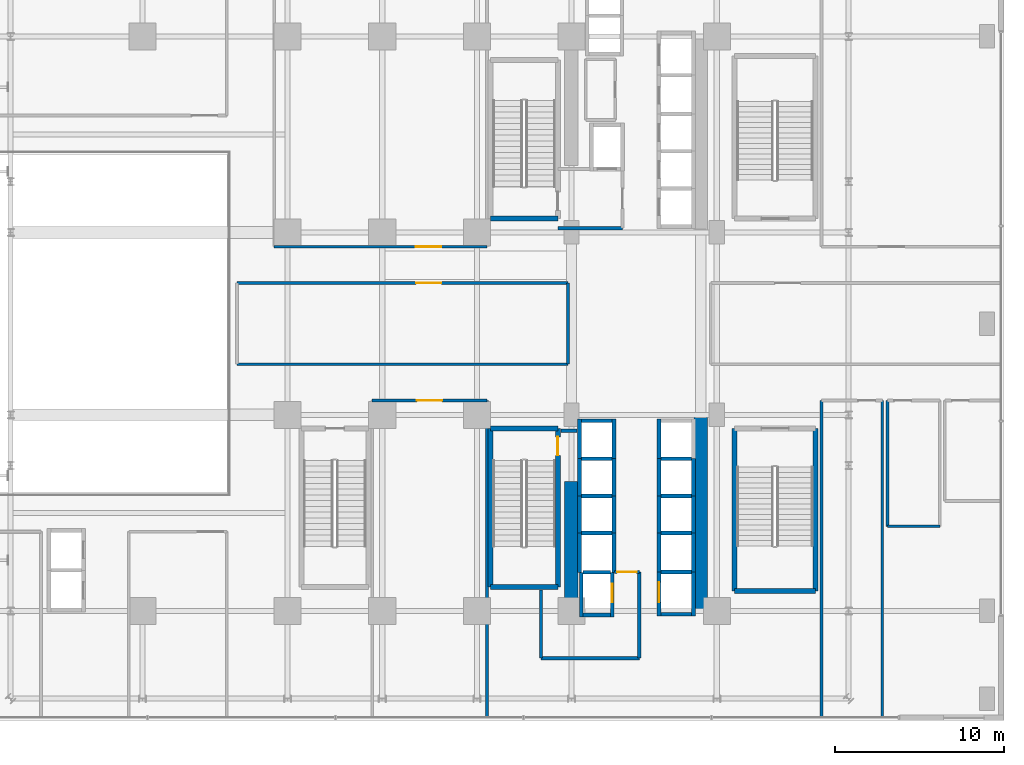
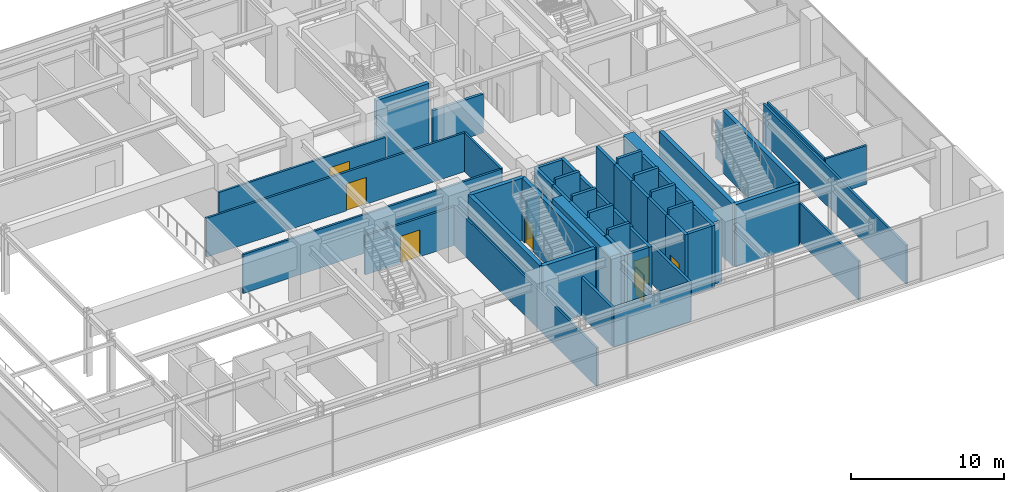
# One storey, part 28 of 35: 56 walls, 7 doors, 7 openings.
"""IFC4 building model written with IfcOpenShell, lengths in metres."""

from ifc_helpers import new_model, si_unit, direction, frame, frame_2d, origin, place, context, subcontext, project, spatial, rectangle, extrude, source, transform, mapped, material, layer, layer_set, type_object, element, fill, save


model = new_model("IFC4")

# Units and contexts
model_context = context("Model", 3, precision=1e-05, world=origin(), true_north=direction((0.0, 1.0)))
body_context = subcontext(model_context, "Body", "Model", "MODEL_VIEW")
ifc_project = project(units=[si_unit("LENGTHUNIT", "METRE"), si_unit("AREAUNIT", "SQUARE_METRE"), si_unit("VOLUMEUNIT", "CUBIC_METRE"), si_unit("PLANEANGLEUNIT", "RADIAN"), si_unit("MASSUNIT", "GRAM", prefix="KILO")], contexts=[model_context])

# Site, building, storey
site_placement = place(None, origin())
site = spatial("IfcSite", under=ifc_project, at=site_placement, CompositionType="ELEMENT")
building_placement = place(site_placement, origin())
building = spatial("IfcBuilding", under=site, at=building_placement, Name="Nahalor Promenade Grand Hotel", CompositionType="ELEMENT")
storey_placement = place(building_placement, frame((0.0, 0.0, 21.60009765625)))
storey = spatial("IfcBuildingStorey", under=building, at=storey_placement, Name="L04", CompositionType="ELEMENT", Elevation=21.60009765625)

# Walls
ifc_material_1 = material(Name="Concrete B-70 (C60/75)", Category="concrete")
ifc_layer_1 = layer(ifc_material_1, 0.800048828125)
ifc_layer_set_1 = layer_set([ifc_layer_1], Name="Concrete B-70 (C60/75)")
wall_type_1 = type_object("IfcWallType", Name="Wall-CoreShear-800", PredefinedType="SHEAR", material=ifc_layer_set_1)
shared_shape_1 = source(origin(), body_context, "Body", "SweptSolid", [
    extrude(rectangle(XDim=7.64990234375, YDim=0.800048828125, at=frame_2d((3.824951171875, 0.0))), origin(), (0.0, 0.0, 1.0), 4.97998046875),
])
wall_1_placement = place(storey_placement, frame((8.39990234375, -17.0, 0.0), z_axis=(0.0, 0.0, 1.0), x_axis=(0.0, 1.0, 0.0)))
element("IfcWall", 1, at=wall_1_placement, inside=storey, type_object=wall_type_1, Name="CWALL-L04-SW", PredefinedType="SHEAR", context=body_context, shape_type="MappedRepresentation", body=[
    mapped(shared_shape_1, transform((0.0, 0.0, 0.0), scale=1.0)),
])
shared_shape_2 = source(origin(), body_context, "Body", "SweptSolid", [
    extrude(rectangle(XDim=11.60009765625, YDim=0.800048828125, at=frame_2d((5.800048828125, 0.0))), origin(), (0.0, 0.0, 1.0), 4.97998046875),
])
wall_2_placement = place(storey_placement, frame((16.050048828125, -17.0, 0.0), z_axis=(0.0, 0.0, 1.0), x_axis=(0.0, 1.0, 0.0)))
element("IfcWall", 2, at=wall_2_placement, inside=storey, type_object=wall_type_1, Name="CWALL-L04-SE", PredefinedType="SHEAR", context=body_context, shape_type="MappedRepresentation", body=[
    mapped(shared_shape_2, transform((0.0, 0.0, 0.0), scale=1.0)),
])
ifc_material_2 = material(Name="Concrete B-50 (C40/50)", Category="concrete")
ifc_layer_2 = layer(ifc_material_2, 0.300048828125)
ifc_layer_set_2 = layer_set([ifc_layer_2], Name="Concrete B-50 (C40/50)")
wall_type_2 = type_object("IfcWallType", Name="Wall-ShaftShear-300", PredefinedType="SHEAR", material=ifc_layer_set_2)
shared_shape_3 = source(origin(), body_context, "Body", "SweptSolid", [
    extrude(rectangle(XDim=3.97998046875, YDim=0.300048828125, at=frame_2d((1.989990234375, 0.0))), origin(), (0.0, 0.0, 1.0), 4.97998046875),
])
for number, where, z_axis, x_axis, name in (
    (3, (3.610107421875, 6.2099609375, 0.0), (0.0, 0.0, 1.0), (1.0, 0.0, 0.0), "L04 Exit Stair ST1 Shaft Wall S"),
    (4, (3.610107421875, -15.590087890625, 0.0), (0.0, 0.0, 1.0), (1.0, 0.0, 0.0), "L04 Exit Stair ST2 Shaft Wall S"),
    (5, (3.610107421875, -6.2099609375, 0.0), (0.0, 0.0, 1.0), (1.0, 0.0, 0.0), "L04 Exit Stair ST2 Shaft Wall N"),
):
    element("IfcWall", number, at=place(storey_placement, frame(where, z_axis=z_axis, x_axis=x_axis)), inside=storey, type_object=wall_type_2, Name=name, PredefinedType="SHEAR", context=body_context, shape_type="MappedRepresentation", body=[
        mapped(shared_shape_3, transform((0.0, 0.0, 0.0), scale=1.0)),
    ])
shared_shape_4 = source(origin(), body_context, "Body", "SweptSolid", [
    extrude(rectangle(XDim=9.380126953125, YDim=0.300048828125, at=frame_2d((4.68994140625, 0.0))), origin(), (0.0, 0.0, 1.0), 4.97998046875),
])
wall_3_placement = place(storey_placement, frame((3.610107421875, -15.590087890625, 0.0), z_axis=(0.0, 0.0, 1.0), x_axis=(0.0, 1.0, 0.0)))
element("IfcWall", 6, at=wall_3_placement, inside=storey, type_object=wall_type_2, Name="L04 Exit Stair ST2 Shaft Wall W", PredefinedType="SHEAR", context=body_context, shape_type="MappedRepresentation", body=[
    mapped(shared_shape_4, transform((0.0, 0.0, 0.0), scale=1.0)),
])

# Wall, opening, door
wall_4_placement = place(storey_placement, frame((7.590087890625, -15.590087890625, 0.0), z_axis=(0.0, 0.0, 1.0), x_axis=(0.0, 1.0, 0.0)))
wall_4 = element("IfcWall", 7, at=wall_4_placement, inside=storey, type_object=wall_type_2, Name="L04 Exit Stair ST2 Shaft Wall E", PredefinedType="SHEAR", context=body_context, shape_type="MappedRepresentation", body=[
    mapped(shared_shape_4, transform((0.0, 0.0, 0.0), scale=1.0)),
])
opening_1_placement = place(wall_4_placement, frame((7.7900390625, 0.0, 0.0)))
opening_1 = element("IfcOpeningElement", 8, at=opening_1_placement, cuts=wall_4, Name="Opening D-ST1", PredefinedType="OPENING", context=body_context, shape_type="SweptSolid", body=[
    extrude(rectangle(XDim=1.10009765625, YDim=2.14990234375, at=frame_2d((0.550048828125, 1.074951171875))), frame((0.0, 0.159912109375, 0.0), z_axis=(0.0, -1.0, 0.0), x_axis=(1.0, 0.0, 0.0)), (0.0, 0.0, 1.0), 0.320068359375),
])
ifc_material_3 = material(Name="Steel S355JR", Category="steel")
door_type_1 = type_object("IfcDoorType", Name="Door-StairFire-1100", OperationType="NOTDEFINED", PredefinedType="DOOR", material=ifc_material_3)
shared_shape_5 = source(origin(), body_context, "Body", "SweptSolid", [
    extrude(rectangle(XDim=1.10009765625, YDim=2.14990234375, at=frame_2d((0.550048828125, 1.074951171875))), frame((0.0, 0.02490234375, 0.0), z_axis=(0.0, -1.0, 0.0), x_axis=(1.0, 0.0, 0.0)), (0.0, 0.0, 1.0), 0.050048828125),
])
door_1_placement = place(opening_1_placement, origin())
door_1 = element("IfcDoor", 9, at=door_1_placement, inside=storey, type_object=door_type_1, Name="DR-STAIR-ST2-L04", OperationType="SINGLE_SWING_LEFT", OverallHeight=2.14990234375, OverallWidth=1.10009765625, PredefinedType="DOOR", context=body_context, shape_type="MappedRepresentation", body=[
    mapped(shared_shape_5, transform((0.0, 0.0, 0.0), scale=1.0)),
])
fill(opening_1, door_1)

# Walls
shared_shape_6 = source(origin(), body_context, "Body", "SweptSolid", [
    extrude(rectangle(XDim=4.780029296875, YDim=0.300048828125, at=frame_2d((2.39013671875, 0.0))), origin(), (0.0, 0.0, 1.0), 4.97998046875),
])
wall_5_placement = place(storey_placement, frame((18.06005859375, -15.840087890625, 0.0), z_axis=(0.0, 0.0, 1.0), x_axis=(1.0, 0.0, 0.0)))
element("IfcWall", 10, at=wall_5_placement, inside=storey, type_object=wall_type_2, Name="L04 Exit Stair ST5 Shaft Wall S", PredefinedType="SHEAR", context=body_context, shape_type="MappedRepresentation", body=[
    mapped(shared_shape_6, transform((0.0, 0.0, 0.0), scale=1.0)),
])
shared_shape_7 = source(origin(), body_context, "Body", "SweptSolid", [
    extrude(rectangle(XDim=9.630126953125, YDim=0.300048828125, at=frame_2d((4.81494140625, 0.0))), origin(), (0.0, 0.0, 1.0), 4.97998046875),
])
for number, where, z_axis, x_axis, name in (
    (11, (18.06005859375, -15.840087890625, 0.0), (0.0, 0.0, 1.0), (0.0, 1.0, 0.0), "L04 Exit Stair ST5 Shaft Wall W"),
    (12, (22.840087890625, -15.840087890625, 0.0), (0.0, 0.0, 1.0), (0.0, 1.0, 0.0), "L04 Exit Stair ST5 Shaft Wall E"),
):
    element("IfcWall", number, at=place(storey_placement, frame(where, z_axis=z_axis, x_axis=x_axis)), inside=storey, type_object=wall_type_2, Name=name, PredefinedType="SHEAR", context=body_context, shape_type="MappedRepresentation", body=[
        mapped(shared_shape_7, transform((0.0, 0.0, 0.0), scale=1.0)),
    ])
ifc_layer_3 = layer(ifc_material_2, 0.219970703125)
ifc_layer_set_3 = layer_set([ifc_layer_3], Name="Concrete B-50 (C40/50)")
wall_type_3 = type_object("IfcWallType", Name="Wall-LiftShaft-220", PredefinedType="SHEAR", material=ifc_layer_set_3)
shared_shape_8 = source(origin(), body_context, "Body", "SweptSolid", [
    extrude(rectangle(XDim=1.820068359375, YDim=0.219970703125, at=frame_2d((0.91015625, 0.0))), origin(), (0.0, 0.0, 1.0), 5.39990234375),
])
for number, where, z_axis, x_axis, name in (
    (13, (13.68994140625, -8.0, 0.0), (0.0, 0.0, 1.0), (1.0, 0.0, 0.0), "L04 Lift PL6 Hoistway Wall N"),
    (14, (13.68994140625, -10.199951171875, 0.0), (0.0, 0.0, 1.0), (1.0, 0.0, 0.0), "L04 Lift PL7 Hoistway Wall N"),
    (15, (13.68994140625, -12.39990234375, 0.0), (0.0, 0.0, 1.0), (1.0, 0.0, 0.0), "L04 Lift PL8 Hoistway Wall N"),
    (16, (8.989990234375, -8.0, 0.0), (0.0, 0.0, 1.0), (1.0, 0.0, 0.0), "L04 Lift PL10 Hoistway Wall N"),
    (17, (8.989990234375, -10.199951171875, 0.0), (0.0, 0.0, 1.0), (1.0, 0.0, 0.0), "L04 Lift PL11 Hoistway Wall N"),
    (18, (8.989990234375, -12.39990234375, 0.0), (0.0, 0.0, 1.0), (1.0, 0.0, 0.0), "L04 Lift PL12 Hoistway Wall N"),
    (19, (13.68994140625, -14.699951171875, 0.0), (0.0, 0.0, 1.0), (1.0, 0.0, 0.0), "L04 Lift SV2 Hoistway Wall N"),
):
    element("IfcWall", number, at=place(storey_placement, frame(where, z_axis=z_axis, x_axis=x_axis)), inside=storey, type_object=wall_type_3, Name=name, PredefinedType="SHEAR", context=body_context, shape_type="MappedRepresentation", body=[
        mapped(shared_shape_8, transform((0.0, 0.0, 0.0), scale=1.0)),
    ])
shared_shape_9 = source(origin(), body_context, "Body", "SweptSolid", [
    extrude(rectangle(XDim=2.360107421875, YDim=0.219970703125, at=frame_2d((1.18017578125, 0.0))), origin(), (0.0, 0.0, 1.0), 4.97998046875),
])
for number, where, z_axis, x_axis, name in (
    (20, (13.580078125, -8.0, 0.0), (0.0, 0.0, 1.0), (0.0, 1.0, 0.0), "L04 Lift PL5 Hoistway Wall W"),
    (21, (8.8798828125, -8.0, 0.0), (0.0, 0.0, 1.0), (0.0, 1.0, 0.0), "L04 Lift PL9 Hoistway Wall W"),
    (22, (10.919921875, -8.0, 0.0), (0.0, 0.0, 1.0), (0.0, 1.0, 0.0), "L04 Lift PL9 Hoistway Wall E"),
):
    element("IfcWall", number, at=place(storey_placement, frame(where, z_axis=z_axis, x_axis=x_axis)), inside=storey, type_object=wall_type_3, Name=name, PredefinedType="SHEAR", context=body_context, shape_type="MappedRepresentation", body=[
        mapped(shared_shape_9, transform((0.0, 0.0, 0.0), scale=1.0)),
    ])
shared_shape_10 = source(origin(), body_context, "Body", "SweptSolid", [
    extrude(rectangle(XDim=1.820068359375, YDim=0.219970703125, at=frame_2d((0.91015625, 0.0))), origin(), (0.0, 0.0, 1.0), 4.97998046875),
])
for number, where, z_axis, x_axis, name in (
    (23, (8.989990234375, -5.75, 0.0), (0.0, 0.0, 1.0), (1.0, 0.0, 0.0), "L04 Lift PL9 Hoistway Wall N"),
    (24, (13.68994140625, -17.199951171875, 0.0), (0.0, 0.0, 1.0), (1.0, 0.0, 0.0), "L04 Lift SV2 Hoistway Wall S"),
):
    element("IfcWall", number, at=place(storey_placement, frame(where, z_axis=z_axis, x_axis=x_axis)), inside=storey, type_object=wall_type_3, Name=name, PredefinedType="SHEAR", context=body_context, shape_type="MappedRepresentation", body=[
        mapped(shared_shape_10, transform((0.0, 0.0, 0.0), scale=1.0)),
    ])
shared_shape_11 = source(origin(), body_context, "Body", "SweptSolid", [
    extrude(rectangle(XDim=2.199951171875, YDim=0.219970703125, at=frame_2d((1.10009765625, 0.0))), origin(), (0.0, 0.0, 1.0), 4.97998046875),
])
for number, where, z_axis, x_axis, name in (
    (25, (13.580078125, -10.199951171875, 0.0), (0.0, 0.0, 1.0), (0.0, 1.0, 0.0), "L04 Lift PL6 Hoistway Wall W"),
    (26, (15.6201171875, -10.199951171875, 0.0), (0.0, 0.0, 1.0), (0.0, 1.0, 0.0), "L04 Lift PL6 Hoistway Wall E"),
    (27, (13.580078125, -12.39990234375, 0.0), (0.0, 0.0, 1.0), (0.0, 1.0, 0.0), "L04 Lift PL7 Hoistway Wall W"),
    (28, (15.6201171875, -12.39990234375, 0.0), (0.0, 0.0, 1.0), (0.0, 1.0, 0.0), "L04 Lift PL7 Hoistway Wall E"),
    (29, (8.8798828125, -10.199951171875, 0.0), (0.0, 0.0, 1.0), (0.0, 1.0, 0.0), "L04 Lift PL10 Hoistway Wall W"),
    (30, (10.919921875, -10.199951171875, 0.0), (0.0, 0.0, 1.0), (0.0, 1.0, 0.0), "L04 Lift PL10 Hoistway Wall E"),
    (31, (8.8798828125, -12.39990234375, 0.0), (0.0, 0.0, 1.0), (0.0, 1.0, 0.0), "L04 Lift PL11 Hoistway Wall W"),
    (32, (10.919921875, -12.39990234375, 0.0), (0.0, 0.0, 1.0), (0.0, 1.0, 0.0), "L04 Lift PL11 Hoistway Wall E"),
):
    element("IfcWall", number, at=place(storey_placement, frame(where, z_axis=z_axis, x_axis=x_axis)), inside=storey, type_object=wall_type_3, Name=name, PredefinedType="SHEAR", context=body_context, shape_type="MappedRepresentation", body=[
        mapped(shared_shape_11, transform((0.0, 0.0, 0.0), scale=1.0)),
    ])
shared_shape_12 = source(origin(), body_context, "Body", "SweptSolid", [
    extrude(rectangle(XDim=2.300048828125, YDim=0.219970703125, at=frame_2d((1.14990234375, 0.0))), origin(), (0.0, 0.0, 1.0), 4.97998046875),
])
for number, where, z_axis, x_axis, name in (
    (33, (13.580078125, -14.699951171875, 0.0), (0.0, 0.0, 1.0), (0.0, 1.0, 0.0), "L04 Lift PL8 Hoistway Wall W"),
    (34, (15.6201171875, -14.699951171875, 0.0), (0.0, 0.0, 1.0), (0.0, 1.0, 0.0), "L04 Lift PL8 Hoistway Wall E"),
):
    element("IfcWall", number, at=place(storey_placement, frame(where, z_axis=z_axis, x_axis=x_axis)), inside=storey, type_object=wall_type_3, Name=name, PredefinedType="SHEAR", context=body_context, shape_type="MappedRepresentation", body=[
        mapped(shared_shape_12, transform((0.0, 0.0, 0.0), scale=1.0)),
    ])
shared_shape_13 = source(origin(), body_context, "Body", "SweptSolid", [
    extrude(rectangle(XDim=2.3251953125, YDim=0.219970703125, at=frame_2d((1.16259765625, 0.0))), origin(), (0.0, 0.0, 1.0), 4.97998046875),
])
for number, where, z_axis, x_axis, name in (
    (35, (8.8798828125, -14.72509765625, 0.0), (0.0, 0.0, 1.0), (0.0, 1.0, 0.0), "L04 Lift PL12 Hoistway Wall W"),
    (36, (10.919921875, -14.72509765625, 0.0), (0.0, 0.0, 1.0), (0.0, 1.0, 0.0), "L04 Lift PL12 Hoistway Wall E"),
):
    element("IfcWall", number, at=place(storey_placement, frame(where, z_axis=z_axis, x_axis=x_axis)), inside=storey, type_object=wall_type_3, Name=name, PredefinedType="SHEAR", context=body_context, shape_type="MappedRepresentation", body=[
        mapped(shared_shape_13, transform((0.0, 0.0, 0.0), scale=1.0)),
    ])
shared_shape_14 = source(origin(), body_context, "Body", "SweptSolid", [
    extrude(rectangle(XDim=1.619873046875, YDim=0.219970703125, at=frame_2d((0.81005859375, 0.0))), origin(), (0.0, 0.0, 1.0), 5.39990234375),
])
wall_6_placement = place(storey_placement, frame((9.090087890625, -14.72509765625, 0.0), z_axis=(0.0, 0.0, 1.0), x_axis=(1.0, 0.0, 0.0)))
element("IfcWall", 37, at=wall_6_placement, inside=storey, type_object=wall_type_3, Name="L04 Lift FL2 Hoistway Wall N", PredefinedType="SHEAR", context=body_context, shape_type="MappedRepresentation", body=[
    mapped(shared_shape_14, transform((0.0, 0.0, 0.0), scale=1.0)),
])
shared_shape_15 = source(origin(), body_context, "Body", "SweptSolid", [
    extrude(rectangle(XDim=2.635009765625, YDim=0.219970703125, at=frame_2d((1.3173828125, 0.0))), origin(), (0.0, 0.0, 1.0), 4.97998046875),
])
wall_7_placement = place(storey_placement, frame((8.97998046875, -17.360107421875, 0.0), z_axis=(0.0, 0.0, 1.0), x_axis=(0.0, 1.0, 0.0)))
element("IfcWall", 38, at=wall_7_placement, inside=storey, type_object=wall_type_3, Name="L04 Lift FL2 Hoistway Wall W", PredefinedType="SHEAR", context=body_context, shape_type="MappedRepresentation", body=[
    mapped(shared_shape_15, transform((0.0, 0.0, 0.0), scale=1.0)),
])

# Wall, opening, door
wall_8_placement = place(storey_placement, frame((10.820068359375, -17.360107421875, 0.0), z_axis=(0.0, 0.0, 1.0), x_axis=(0.0, 1.0, 0.0)))
wall_8 = element("IfcWall", 39, at=wall_8_placement, inside=storey, type_object=wall_type_3, Name="L04 Lift FL2 Hoistway Wall E", PredefinedType="SHEAR", context=body_context, shape_type="MappedRepresentation", body=[
    mapped(shared_shape_15, transform((0.0, 0.0, 0.0), scale=1.0)),
])
opening_2_placement = place(wall_8_placement, frame((0.860107421875, 0.0, 0.0)))
opening_2 = element("IfcOpeningElement", 40, at=opening_2_placement, cuts=wall_8, Name="Opening LD-02", PredefinedType="OPENING", context=body_context, shape_type="SweptSolid", body=[
    extrude(rectangle(XDim=1.10009765625, YDim=2.199951171875, at=frame_2d((0.550048828125, 1.10009765625))), frame((0.0, 0.119873046875, 0.0), z_axis=(0.0, -1.0, 0.0), x_axis=(1.0, 0.0, 0.0)), (0.0, 0.0, 1.0), 0.239990234375),
])
door_type_2 = type_object("IfcDoorType", Name="Door-LiftFF-1100", OperationType="DOUBLE_DOOR_SLIDING", PredefinedType="DOOR", material=ifc_material_3)
shared_shape_16 = source(origin(), body_context, "Body", "SweptSolid", [
    extrude(rectangle(XDim=1.10009765625, YDim=2.199951171875, at=frame_2d((0.550048828125, 1.10009765625))), frame((0.0, 0.02490234375, 0.0), z_axis=(0.0, -1.0, 0.0), x_axis=(1.0, 0.0, 0.0)), (0.0, 0.0, 1.0), 0.050048828125),
])
door_2_placement = place(opening_2_placement, frame((1.10009765625, 0.0, 0.0), z_axis=(0.0, 0.0, 1.0), x_axis=(-1.0, 0.0, 0.0)))
door_2 = element("IfcDoor", 41, at=door_2_placement, inside=storey, type_object=door_type_2, Name="DR-LIFT-FL2-L04", OperationType="DOUBLE_DOOR_SLIDING", OverallHeight=2.199951171875, OverallWidth=1.10009765625, PredefinedType="DOOR", context=body_context, shape_type="MappedRepresentation", body=[
    mapped(shared_shape_16, transform((0.0, 0.0, 0.0), scale=1.0)),
])
fill(opening_2, door_2)

# Wall
shared_shape_17 = source(origin(), body_context, "Body", "SweptSolid", [
    extrude(rectangle(XDim=1.619873046875, YDim=0.219970703125, at=frame_2d((0.81005859375, 0.0))), origin(), (0.0, 0.0, 1.0), 4.97998046875),
])
wall_9_placement = place(storey_placement, frame((9.090087890625, -17.25, 0.0), z_axis=(0.0, 0.0, 1.0), x_axis=(1.0, 0.0, 0.0)))
element("IfcWall", 42, at=wall_9_placement, inside=storey, type_object=wall_type_3, Name="L04 Lift FL2 Hoistway Wall S", PredefinedType="SHEAR", context=body_context, shape_type="MappedRepresentation", body=[
    mapped(shared_shape_17, transform((0.0, 0.0, 0.0), scale=1.0)),
])

# Wall, opening, door
shared_shape_18 = source(origin(), body_context, "Body", "SweptSolid", [
    extrude(rectangle(XDim=2.610107421875, YDim=0.219970703125, at=frame_2d((1.30517578125, 0.0))), origin(), (0.0, 0.0, 1.0), 4.97998046875),
])
wall_10_placement = place(storey_placement, frame((13.580078125, -17.31005859375, 0.0), z_axis=(0.0, 0.0, 1.0), x_axis=(0.0, 1.0, 0.0)))
wall_10 = element("IfcWall", 43, at=wall_10_placement, inside=storey, type_object=wall_type_3, Name="L04 Lift SV2 Hoistway Wall W", PredefinedType="SHEAR", context=body_context, shape_type="MappedRepresentation", body=[
    mapped(shared_shape_18, transform((0.0, 0.0, 0.0), scale=1.0)),
])
opening_3_placement = place(wall_10_placement, frame((0.81005859375, 0.0, 0.0)))
opening_3 = element("IfcOpeningElement", 44, at=opening_3_placement, cuts=wall_10, Name="Opening LD-03", PredefinedType="OPENING", context=body_context, shape_type="SweptSolid", body=[
    extrude(rectangle(XDim=1.199951171875, YDim=2.199951171875, at=frame_2d((0.60009765625, 1.10009765625))), frame((0.0, 0.119873046875, 0.0), z_axis=(0.0, -1.0, 0.0), x_axis=(1.0, 0.0, 0.0)), (0.0, 0.0, 1.0), 0.239990234375),
])
door_type_3 = type_object("IfcDoorType", Name="Door-LiftService-1200", OperationType="DOUBLE_DOOR_SLIDING", PredefinedType="DOOR", material=ifc_material_3)
shared_shape_19 = source(origin(), body_context, "Body", "SweptSolid", [
    extrude(rectangle(XDim=1.199951171875, YDim=2.199951171875, at=frame_2d((0.60009765625, 1.10009765625))), frame((0.0, 0.02490234375, 0.0), z_axis=(0.0, -1.0, 0.0), x_axis=(1.0, 0.0, 0.0)), (0.0, 0.0, 1.0), 0.050048828125),
])
door_3_placement = place(opening_3_placement, origin())
door_3 = element("IfcDoor", 45, at=door_3_placement, inside=storey, type_object=door_type_3, Name="DR-LIFT-SV2-L04", OperationType="DOUBLE_DOOR_SLIDING", OverallHeight=2.199951171875, OverallWidth=1.199951171875, PredefinedType="DOOR", context=body_context, shape_type="MappedRepresentation", body=[
    mapped(shared_shape_19, transform((0.0, 0.0, 0.0), scale=1.0)),
])
fill(opening_3, door_3)

# Walls
wall_11_placement = place(storey_placement, frame((15.6201171875, -17.31005859375, 0.0), z_axis=(0.0, 0.0, 1.0), x_axis=(0.0, 1.0, 0.0)))
element("IfcWall", 46, at=wall_11_placement, inside=storey, type_object=wall_type_3, Name="L04 Lift SV2 Hoistway Wall E", PredefinedType="SHEAR", context=body_context, shape_type="MappedRepresentation", body=[
    mapped(shared_shape_18, transform((0.0, 0.0, 0.0), scale=1.0)),
])
ifc_material_4 = material(Name="Concrete B-40 (C32/40)", Category="concrete")
ifc_layer_4 = layer(ifc_material_4, 0.199951171875)
ifc_layer_set_4 = layer_set([ifc_layer_4], Name="Concrete B-40 (C32/40)")
wall_type_4 = type_object("IfcWallType", Name="Wall-PartFire-200", PredefinedType="PARTITIONING", material=ifc_layer_set_4)
shared_shape_20 = source(origin(), body_context, "Body", "SweptSolid", [
    extrude(rectangle(XDim=3.81982421875, YDim=0.199951171875, at=frame_2d((1.909912109375, 0.0))), origin(), (0.0, 0.0, 1.0), 3.099853515625),
])
wall_12_placement = place(storey_placement, frame((7.60009765625, 5.64990234375, 0.0), z_axis=(0.0, 0.0, 1.0), x_axis=(1.0, 0.0, 0.0)))
element("IfcWall", 47, at=wall_12_placement, inside=storey, type_object=wall_type_4, Name="W-L04-FF1-S", PredefinedType="PARTITIONING", context=body_context, shape_type="MappedRepresentation", body=[
    mapped(shared_shape_20, transform((0.0, 0.0, 0.0), scale=1.0)),
])
shared_shape_21 = source(origin(), body_context, "Body", "SweptSolid", [
    extrude(rectangle(XDim=5.81982421875, YDim=0.199951171875, at=frame_2d((2.909912109375, 0.0))), origin(), (0.0, 0.0, 1.0), 3.099853515625),
])
wall_13_placement = place(storey_placement, frame((6.60009765625, -19.800048828125, 0.0), z_axis=(0.0, 0.0, 1.0), x_axis=(1.0, 0.0, 0.0)))
element("IfcWall", 48, at=wall_13_placement, inside=storey, type_object=wall_type_4, Name="W-L04-FF2-S1", PredefinedType="PARTITIONING", context=body_context, shape_type="MappedRepresentation", body=[
    mapped(shared_shape_21, transform((0.0, 0.0, 0.0), scale=1.0)),
])
shared_shape_22 = source(origin(), body_context, "Body", "SweptSolid", [
    extrude(rectangle(XDim=4.030029296875, YDim=0.199951171875, at=frame_2d((2.01513671875, 0.0))), origin(), (0.0, 0.0, 1.0), 3.099853515625),
])
wall_14_placement = place(storey_placement, frame((6.60009765625, -19.800048828125, 0.0), z_axis=(0.0, 0.0, 1.0), x_axis=(0.0, 1.0, 0.0)))
element("IfcWall", 49, at=wall_14_placement, inside=storey, type_object=wall_type_4, Name="W-L04-FF2-W1", PredefinedType="PARTITIONING", context=body_context, shape_type="MappedRepresentation", body=[
    mapped(shared_shape_22, transform((0.0, 0.0, 0.0), scale=1.0)),
])
shared_shape_23 = source(origin(), body_context, "Body", "SweptSolid", [
    extrude(rectangle(XDim=5.10009765625, YDim=0.199951171875, at=frame_2d((2.550048828125, 0.0))), origin(), (0.0, 0.0, 1.0), 3.099853515625),
])
wall_15_placement = place(storey_placement, frame((12.419921875, -19.800048828125, 0.0), z_axis=(0.0, 0.0, 1.0), x_axis=(0.0, 1.0, 0.0)))
element("IfcWall", 50, at=wall_15_placement, inside=storey, type_object=wall_type_4, Name="W-L04-FF2-E", PredefinedType="PARTITIONING", context=body_context, shape_type="MappedRepresentation", body=[
    mapped(shared_shape_23, transform((0.0, 0.0, 0.0), scale=1.0)),
])

# Wall, opening, door
shared_shape_24 = source(origin(), body_context, "Body", "SweptSolid", [
    extrude(rectangle(XDim=1.4599609375, YDim=0.199951171875, at=frame_2d((0.72998046875, 0.0))), origin(), (0.0, 0.0, 1.0), 3.099853515625),
])
wall_16_placement = place(storey_placement, frame((10.9599609375, -14.699951171875, 0.0), z_axis=(0.0, 0.0, 1.0), x_axis=(1.0, 0.0, 0.0)))
wall_16 = element("IfcWall", 51, at=wall_16_placement, inside=storey, type_object=wall_type_4, Name="W-L04-FF2-N1", PredefinedType="PARTITIONING", context=body_context, shape_type="MappedRepresentation", body=[
    mapped(shared_shape_24, transform((0.0, 0.0, 0.0), scale=1.0)),
])
opening_4_placement = place(wall_16_placement, frame((0.14501953125, 0.0, 0.0)))
opening_4 = element("IfcOpeningElement", 52, at=opening_4_placement, cuts=wall_16, Name="Opening D-FF1", PredefinedType="OPENING", context=body_context, shape_type="SweptSolid", body=[
    extrude(rectangle(XDim=1.14990234375, YDim=2.14990234375, at=frame_2d((0.574951171875, 1.074951171875))), frame((0.0, 0.10986328125, 0.0), z_axis=(0.0, -1.0, 0.0), x_axis=(1.0, 0.0, 0.0)), (0.0, 0.0, 1.0), 0.219970703125),
])
door_type_4 = type_object("IfcDoorType", Name="Door-FFLobby-1150", OperationType="NOTDEFINED", PredefinedType="DOOR", material=ifc_material_3)
shared_shape_25 = source(origin(), body_context, "Body", "SweptSolid", [
    extrude(rectangle(XDim=1.14990234375, YDim=2.14990234375, at=frame_2d((0.574951171875, 1.074951171875))), frame((0.0, 0.02490234375, 0.0), z_axis=(0.0, -1.0, 0.0), x_axis=(1.0, 0.0, 0.0)), (0.0, 0.0, 1.0), 0.050048828125),
])
door_4_placement = place(opening_4_placement, origin())
door_4 = element("IfcDoor", 53, at=door_4_placement, inside=storey, type_object=door_type_4, Name="DR-L04-FFL2", OperationType="SINGLE_SWING_RIGHT", OverallHeight=2.14990234375, OverallWidth=1.14990234375, PredefinedType="DOOR", context=body_context, shape_type="MappedRepresentation", body=[
    mapped(shared_shape_25, transform((0.0, 0.0, 0.0), scale=1.0)),
])
fill(opening_4, door_4)

# Walls
shared_shape_26 = source(origin(), body_context, "Body", "SweptSolid", [
    extrude(rectangle(XDim=0.969970703125, YDim=0.199951171875, at=frame_2d((0.48486328125, 0.0))), origin(), (0.0, 0.0, 1.0), 3.099853515625),
])
wall_17_placement = place(storey_placement, frame((7.77001953125, -6.35009765625, 0.0), z_axis=(0.0, 0.0, 1.0), x_axis=(1.0, 0.0, 0.0)))
element("IfcWall", 54, at=wall_17_placement, inside=storey, type_object=wall_type_4, Name="W-L04-FF2-N2", PredefinedType="PARTITIONING", context=body_context, shape_type="MappedRepresentation", body=[
    mapped(shared_shape_26, transform((0.0, 0.0, 0.0), scale=1.0)),
])
ifc_material_5 = material(Name="Acoustic Mineral Gypsum", Category="gypsum")
ifc_layer_5 = layer(ifc_material_5, 0.159912109375)
ifc_layer_set_5 = layer_set([ifc_layer_5], Name="Acoustic Mineral Gypsum")
wall_type_5 = type_object("IfcWallType", Name="Wall-PartCorridor-160", PredefinedType="PARTITIONING", material=ifc_layer_set_5)
shared_shape_27 = source(origin(), body_context, "Body", "SweptSolid", [
    extrude(rectangle(XDim=19.599853515625, YDim=0.159912109375, at=frame_2d((9.7998046875, 0.0))), origin(), (0.0, 0.0, 1.0), 3.099853515625),
])
wall_18_placement = place(storey_placement, frame((-11.39990234375, -2.39990234375, 0.0), z_axis=(0.0, 0.0, 1.0), x_axis=(1.0, 0.0, 0.0)))
element("IfcWall", 55, at=wall_18_placement, inside=storey, type_object=wall_type_5, Name="W-L04-PR01-S", PredefinedType="PARTITIONING", context=body_context, shape_type="MappedRepresentation", body=[
    mapped(shared_shape_27, transform((0.0, 0.0, 0.0), scale=1.0)),
])

# Wall, opening, door
wall_19_placement = place(storey_placement, frame((-11.39990234375, 2.39990234375, 0.0), z_axis=(0.0, 0.0, 1.0), x_axis=(1.0, 0.0, 0.0)))
wall_19 = element("IfcWall", 56, at=wall_19_placement, inside=storey, type_object=wall_type_5, Name="W-L04-PR01-N", PredefinedType="PARTITIONING", context=body_context, shape_type="MappedRepresentation", body=[
    mapped(shared_shape_27, transform((0.0, 0.0, 0.0), scale=1.0)),
])
opening_5_placement = place(wall_19_placement, frame((10.60107421875, 0.0, 0.0)))
opening_5 = element("IfcOpeningElement", 57, at=opening_5_placement, cuts=wall_19, Name="Opening D-02", PredefinedType="OPENING", context=body_context, shape_type="SweptSolid", body=[
    extrude(rectangle(XDim=1.5, YDim=2.14990234375, at=frame_2d((0.75, 1.074951171875))), frame((0.0, 0.08984375, 0.0), z_axis=(0.0, -1.0, 0.0), x_axis=(1.0, 0.0, 0.0)), (0.0, 0.0, 1.0), 0.179931640625),
])
ifc_material_6 = material(Name="Fire-Rated Timber Composite", Category="wood")
door_type_5 = type_object("IfcDoorType", Name="Door-SuiteDouble-1500", OperationType="DOUBLE_DOOR_SINGLE_SWING", PredefinedType="DOOR", material=ifc_material_6)
shared_shape_28 = source(origin(), body_context, "Body", "SweptSolid", [
    extrude(rectangle(XDim=1.5, YDim=2.14990234375, at=frame_2d((0.75, 1.074951171875))), frame((0.0, 0.02490234375, 0.0), z_axis=(0.0, -1.0, 0.0), x_axis=(1.0, 0.0, 0.0)), (0.0, 0.0, 1.0), 0.050048828125),
])
door_5_placement = place(opening_5_placement, frame((1.5, 0.0, 0.0), z_axis=(0.0, 0.0, 1.0), x_axis=(-1.0, 0.0, 0.0)))
door_5 = element("IfcDoor", 58, at=door_5_placement, inside=storey, type_object=door_type_5, Name="DR-L04-PR01", OperationType="DOUBLE_DOOR_SINGLE_SWING", OverallHeight=2.14990234375, OverallWidth=1.5, PredefinedType="DOOR", context=body_context, shape_type="MappedRepresentation", body=[
    mapped(shared_shape_28, transform((0.0, 0.0, 0.0), scale=1.0)),
])
fill(opening_5, door_5)

# Wall
shared_shape_29 = source(origin(), body_context, "Body", "SweptSolid", [
    extrude(rectangle(XDim=4.7998046875, YDim=0.159912109375, at=frame_2d((2.39990234375, 0.0))), origin(), (0.0, 0.0, 1.0), 3.099853515625),
])
wall_20_placement = place(storey_placement, frame((8.199951171875, -2.39990234375, 0.0), z_axis=(0.0, 0.0, 1.0), x_axis=(0.0, 1.0, 0.0)))
element("IfcWall", 59, at=wall_20_placement, inside=storey, type_object=wall_type_5, Name="W-L04-PR01-E", PredefinedType="PARTITIONING", context=body_context, shape_type="MappedRepresentation", body=[
    mapped(shared_shape_29, transform((0.0, 0.0, 0.0), scale=1.0)),
])

# Wall, opening, door
shared_shape_30 = source(origin(), body_context, "Body", "SweptSolid", [
    extrude(rectangle(XDim=12.599853515625, YDim=0.159912109375, at=frame_2d((6.2998046875, 0.0))), origin(), (0.0, 0.0, 1.0), 3.099853515625),
])
wall_21_placement = place(storey_placement, frame((-9.199951171875, 4.550048828125, 0.0), z_axis=(0.0, 0.0, 1.0), x_axis=(1.0, 0.0, 0.0)))
wall_21 = element("IfcWall", 60, at=wall_21_placement, inside=storey, type_object=wall_type_5, Name="W-L04-PR04-S", PredefinedType="PARTITIONING", context=body_context, shape_type="MappedRepresentation", body=[
    mapped(shared_shape_30, transform((0.0, 0.0, 0.0), scale=1.0)),
])
opening_6_placement = place(wall_21_placement, frame((8.3779296875, 0.0, 0.0)))
opening_6 = element("IfcOpeningElement", 61, at=opening_6_placement, cuts=wall_21, Name="Opening D-02", PredefinedType="OPENING", context=body_context, shape_type="SweptSolid", body=[
    extrude(rectangle(XDim=1.5, YDim=2.14990234375, at=frame_2d((0.75, 1.074951171875))), frame((0.0, 0.08984375, 0.0), z_axis=(0.0, -1.0, 0.0), x_axis=(1.0, 0.0, 0.0)), (0.0, 0.0, 1.0), 0.179931640625),
])
door_6_placement = place(opening_6_placement, origin())
door_6 = element("IfcDoor", 62, at=door_6_placement, inside=storey, type_object=door_type_5, Name="DR-L04-PR04", OperationType="DOUBLE_DOOR_SINGLE_SWING", OverallHeight=2.14990234375, OverallWidth=1.5, PredefinedType="DOOR", context=body_context, shape_type="MappedRepresentation", body=[
    mapped(shared_shape_28, transform((0.0, 0.0, 0.0), scale=1.0)),
])
fill(opening_6, door_6)

# Walls
shared_shape_31 = source(origin(), body_context, "Body", "SweptSolid", [
    extrude(rectangle(XDim=18.7099609375, YDim=0.159912109375, at=frame_2d((9.35498046875, 0.0))), origin(), (0.0, 0.0, 1.0), 3.099853515625),
])
for number, where, z_axis, x_axis, name in (
    (63, (3.39990234375, -23.260009765625, 0.0), (0.0, 0.0, 1.0), (0.0, 1.0, 0.0), "W-L04-PR07-E"),
    (64, (23.199951171875, -23.260009765625, 0.0), (0.0, 0.0, 1.0), (0.0, 1.0, 0.0), "W-L04-PR09-W"),
    (65, (26.800048828125, -23.260009765625, 0.0), (0.0, 0.0, 1.0), (0.0, 1.0, 0.0), "W-L04-PR09-E"),
):
    element("IfcWall", number, at=place(storey_placement, frame(where, z_axis=z_axis, x_axis=x_axis)), inside=storey, type_object=wall_type_5, Name=name, PredefinedType="PARTITIONING", context=body_context, shape_type="MappedRepresentation", body=[
        mapped(shared_shape_31, transform((0.0, 0.0, 0.0), scale=1.0)),
    ])

# Wall, opening, door
shared_shape_32 = source(origin(), body_context, "Body", "SweptSolid", [
    extrude(rectangle(XDim=6.7998046875, YDim=0.159912109375, at=frame_2d((3.39990234375, 0.0))), origin(), (0.0, 0.0, 1.0), 3.099853515625),
])
wall_22_placement = place(storey_placement, frame((-3.39990234375, -4.550048828125, 0.0), z_axis=(0.0, 0.0, 1.0), x_axis=(1.0, 0.0, 0.0)))
wall_22 = element("IfcWall", 66, at=wall_22_placement, inside=storey, type_object=wall_type_5, Name="W-L04-PR07-N", PredefinedType="PARTITIONING", context=body_context, shape_type="MappedRepresentation", body=[
    mapped(shared_shape_32, transform((0.0, 0.0, 0.0), scale=1.0)),
])
opening_7_placement = place(wall_22_placement, frame((2.64990234375, 0.0, 0.0)))
opening_7 = element("IfcOpeningElement", 67, at=opening_7_placement, cuts=wall_22, Name="Opening D-02", PredefinedType="OPENING", context=body_context, shape_type="SweptSolid", body=[
    extrude(rectangle(XDim=1.5, YDim=2.14990234375, at=frame_2d((0.75, 1.074951171875))), frame((0.0, 0.08984375, 0.0), z_axis=(0.0, -1.0, 0.0), x_axis=(1.0, 0.0, 0.0)), (0.0, 0.0, 1.0), 0.179931640625),
])
door_7_placement = place(opening_7_placement, frame((1.5, 0.0, 0.0), z_axis=(0.0, 0.0, 1.0), x_axis=(-1.0, 0.0, 0.0)))
door_7 = element("IfcDoor", 68, at=door_7_placement, inside=storey, type_object=door_type_5, Name="DR-L04-PR07", OperationType="DOUBLE_DOOR_SINGLE_SWING", OverallHeight=2.14990234375, OverallWidth=1.5, PredefinedType="DOOR", context=body_context, shape_type="MappedRepresentation", body=[
    mapped(shared_shape_28, transform((0.0, 0.0, 0.0), scale=1.0)),
])
fill(opening_7, door_7)

# Walls
shared_shape_33 = source(origin(), body_context, "Body", "SweptSolid", [
    extrude(rectangle(XDim=3.099853515625, YDim=0.159912109375, at=frame_2d((1.5498046875, 0.0))), origin(), (0.0, 0.0, 1.0), 3.099853515625),
])
wall_23_placement = place(storey_placement, frame((27.10009765625, -12.0, 0.0), z_axis=(0.0, 0.0, 1.0), x_axis=(1.0, 0.0, 0.0)))
element("IfcWall", 69, at=wall_23_placement, inside=storey, type_object=wall_type_5, Name="W-L04-PR10-S", PredefinedType="PARTITIONING", context=body_context, shape_type="MappedRepresentation", body=[
    mapped(shared_shape_33, transform((0.0, 0.0, 0.0), scale=1.0)),
])
shared_shape_34 = source(origin(), body_context, "Body", "SweptSolid", [
    extrude(rectangle(XDim=7.449951171875, YDim=0.159912109375, at=frame_2d((3.72509765625, 0.0))), origin(), (0.0, 0.0, 1.0), 3.099853515625),
])
wall_24_placement = place(storey_placement, frame((27.10009765625, -12.0, 0.0), z_axis=(0.0, 0.0, 1.0), x_axis=(0.0, 1.0, 0.0)))
element("IfcWall", 70, at=wall_24_placement, inside=storey, type_object=wall_type_5, Name="W-L04-PR10-W", PredefinedType="PARTITIONING", context=body_context, shape_type="MappedRepresentation", body=[
    mapped(shared_shape_34, transform((0.0, 0.0, 0.0), scale=1.0)),
])

save(model, "model.ifc")
